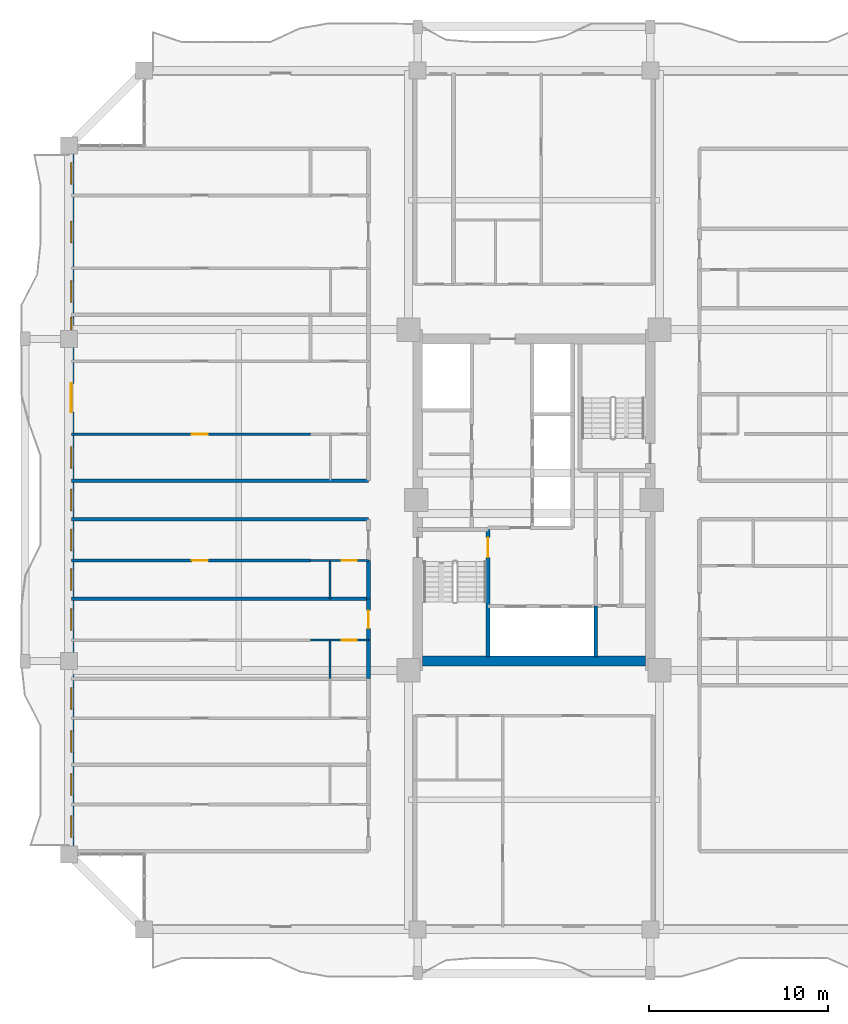
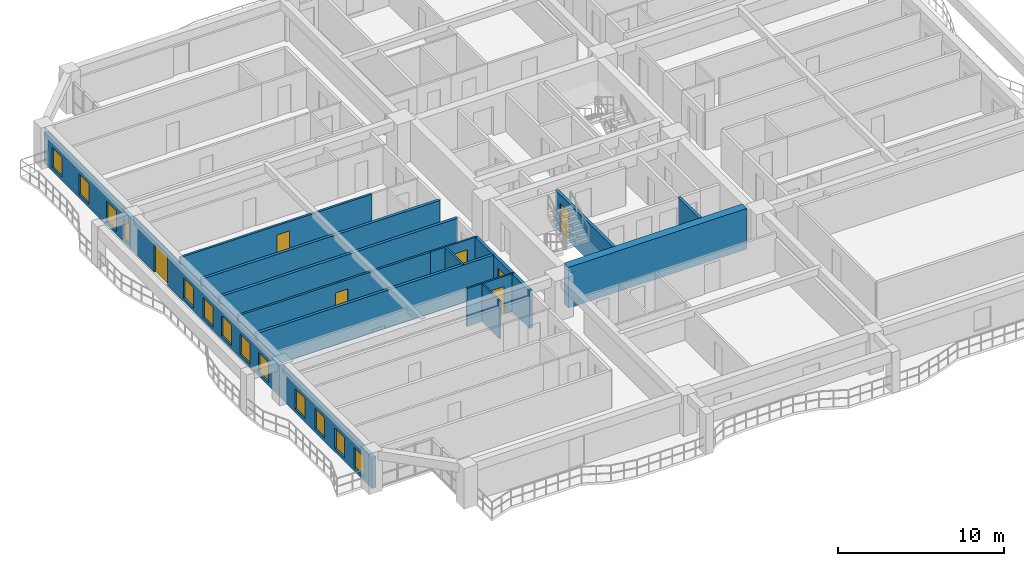
# One storey, part 14 of 24: 18 walls, 13 windows, 7 doors, 20 openings.
"""IFC4 building model written with IfcOpenShell, lengths in metres."""

from ifc_helpers import new_model, si_unit, direction, frame, frame_2d, origin, place, context, subcontext, project, spatial, rectangle, extrude, source, transform, mapped, material, layer, layer_set, type_object, element, fill, save


model = new_model("IFC4")

# Units and contexts
model_context = context("Model", 3, precision=1e-05, world=origin(), true_north=direction((0.0, 1.0)))
body_context = subcontext(model_context, "Body", "Model", "MODEL_VIEW")
ifc_project = project(units=[si_unit("LENGTHUNIT", "METRE"), si_unit("AREAUNIT", "SQUARE_METRE"), si_unit("VOLUMEUNIT", "CUBIC_METRE"), si_unit("PLANEANGLEUNIT", "RADIAN"), si_unit("MASSUNIT", "GRAM", prefix="KILO")], contexts=[model_context])

# Site, building, storey
site_placement = place(None, origin())
site = spatial("IfcSite", under=ifc_project, at=site_placement, CompositionType="ELEMENT")
building_placement = place(site_placement, origin())
building = spatial("IfcBuilding", under=site, at=building_placement, Name="Saelheon Loggia Tower", CompositionType="ELEMENT")
storey_placement = place(building_placement, frame((0.0, 0.0, 126.75)))
storey = spatial("IfcBuildingStorey", under=building, at=storey_placement, Name="L40", CompositionType="ELEMENT", Elevation=126.75)

# Wall
ifc_material_1 = material(Name="Concrete C50/60", Category="concrete")
ifc_layer_1 = layer(ifc_material_1, 0.550048828125)
ifc_layer_set_1 = layer_set([ifc_layer_1], Name="Concrete C50/60")
wall_type_1 = type_object("IfcWallType", Name="Wall_CoreShear_550", PredefinedType="SHEAR", material=ifc_layer_set_1)
wall_1_placement = place(storey_placement, frame((31.77490234375, 18.0, 0.0), z_axis=(0.0, 0.0, 1.0), x_axis=(1.0, 0.0, 0.0)))
element("IfcWall", 1, at=wall_1_placement, inside=storey, type_object=wall_type_1, Name="L40 Core Shear Wall South", PredefinedType="SHEAR", context=body_context, shape_type="SweptSolid", body=[
    extrude(rectangle(XDim=12.4501953125, YDim=0.550048828125, at=frame_2d((6.22509765625, 0.0))), origin(), (0.0, 0.0, 1.0), 3.0),
])

# Wall, openings, windows, door
ifc_material_2 = material(Name="Architectural Precast Concrete C40/50", Category="concrete")
ifc_layer_2 = layer(ifc_material_2, 0.280029296875)
ifc_layer_set_2 = layer_set([ifc_layer_2], Name="Architectural Precast Concrete C40/50")
wall_type_2 = type_object("IfcWallType", Name="Wall_Ext_Loggia_280", PredefinedType="SOLIDWALL", material=ifc_layer_set_2)
wall_2_placement = place(storey_placement, frame((12.139892578125, 7.199951171875, 0.0), z_axis=(0.0, 0.0, 1.0), x_axis=(0.0, 1.0, 0.0)))
wall_2 = element("IfcWall", 2, at=wall_2_placement, inside=storey, type_object=wall_type_2, Name="L40 West Loggia Inner Wall", PredefinedType="SOLIDWALL", context=body_context, shape_type="SweptSolid", body=[
    extrude(rectangle(XDim=39.60009765625, YDim=0.280029296875, at=frame_2d((19.800048828125, 0.0))), origin(), (0.0, 0.0, 1.0), 2.280029296875),
])
opening_1_placement = place(wall_2_placement, frame((0.948974609375, 0.0, 0.25)))
opening_1 = element("IfcOpeningElement", 3, at=opening_1_placement, cuts=wall_2, Name="Opening WN-03", PredefinedType="OPENING", context=body_context, shape_type="SweptSolid", body=[
    extrude(rectangle(XDim=1.199951171875, YDim=1.5, at=frame_2d((0.60009765625, 0.75))), frame((0.0, 0.152099609375, 0.0), z_axis=(0.0, -1.0, 0.0), x_axis=(1.0, 0.0, 0.0)), (0.0, 0.0, 1.0), 0.303955078125),
])
opening_2_placement = place(wall_2_placement, frame((3.291748046875, 0.0, 0.25)))
opening_2 = element("IfcOpeningElement", 4, at=opening_2_placement, cuts=wall_2, Name="Opening WN-03", PredefinedType="OPENING", context=body_context, shape_type="SweptSolid", body=[
    extrude(rectangle(XDim=1.199951171875, YDim=1.5, at=frame_2d((0.60009765625, 0.75))), frame((0.0, 0.152099609375, 0.0), z_axis=(0.0, -1.0, 0.0), x_axis=(1.0, 0.0, 0.0)), (0.0, 0.0, 1.0), 0.303955078125),
])
opening_3_placement = place(wall_2_placement, frame((5.701904296875, 0.0, 0.25)))
opening_3 = element("IfcOpeningElement", 5, at=opening_3_placement, cuts=wall_2, Name="Opening WN-03", PredefinedType="OPENING", context=body_context, shape_type="SweptSolid", body=[
    extrude(rectangle(XDim=1.199951171875, YDim=1.5, at=frame_2d((0.60009765625, 0.75))), frame((0.0, 0.152099609375, 0.0), z_axis=(0.0, -1.0, 0.0), x_axis=(1.0, 0.0, 0.0)), (0.0, 0.0, 1.0), 0.303955078125),
])
opening_4_placement = place(wall_2_placement, frame((8.112060546875, 0.0, 0.25)))
opening_4 = element("IfcOpeningElement", 6, at=opening_4_placement, cuts=wall_2, Name="Opening WN-03", PredefinedType="OPENING", context=body_context, shape_type="SweptSolid", body=[
    extrude(rectangle(XDim=1.199951171875, YDim=1.5, at=frame_2d((0.60009765625, 0.75))), frame((0.0, 0.152099609375, 0.0), z_axis=(0.0, -1.0, 0.0), x_axis=(1.0, 0.0, 0.0)), (0.0, 0.0, 1.0), 0.303955078125),
])
opening_5_placement = place(wall_2_placement, frame((12.5205078125, 0.0, 0.25)))
opening_5 = element("IfcOpeningElement", 7, at=opening_5_placement, cuts=wall_2, Name="Opening WN-03", PredefinedType="OPENING", context=body_context, shape_type="SweptSolid", body=[
    extrude(rectangle(XDim=1.199951171875, YDim=1.5, at=frame_2d((0.60009765625, 0.75))), frame((0.0, 0.152099609375, 0.0), z_axis=(0.0, -1.0, 0.0), x_axis=(1.0, 0.0, 0.0)), (0.0, 0.0, 1.0), 0.303955078125),
])
opening_6_placement = place(wall_2_placement, frame((14.745361328125, 0.0, 0.25)))
opening_6 = element("IfcOpeningElement", 8, at=opening_6_placement, cuts=wall_2, Name="Opening WN-03", PredefinedType="OPENING", context=body_context, shape_type="SweptSolid", body=[
    extrude(rectangle(XDim=1.199951171875, YDim=1.5, at=frame_2d((0.60009765625, 0.75))), frame((0.0, 0.152099609375, 0.0), z_axis=(0.0, -1.0, 0.0), x_axis=(1.0, 0.0, 0.0)), (0.0, 0.0, 1.0), 0.303955078125),
])
opening_7_placement = place(wall_2_placement, frame((16.97021484375, 0.0, 0.25)))
opening_7 = element("IfcOpeningElement", 9, at=opening_7_placement, cuts=wall_2, Name="Opening WN-03", PredefinedType="OPENING", context=body_context, shape_type="SweptSolid", body=[
    extrude(rectangle(XDim=1.199951171875, YDim=1.5, at=frame_2d((0.60009765625, 0.75))), frame((0.0, 0.152099609375, 0.0), z_axis=(0.0, -1.0, 0.0), x_axis=(1.0, 0.0, 0.0)), (0.0, 0.0, 1.0), 0.303955078125),
])
opening_8_placement = place(wall_2_placement, frame((19.199951171875, 0.0, 0.25)))
opening_8 = element("IfcOpeningElement", 10, at=opening_8_placement, cuts=wall_2, Name="Opening WN-03", PredefinedType="OPENING", context=body_context, shape_type="SweptSolid", body=[
    extrude(rectangle(XDim=1.199951171875, YDim=1.5, at=frame_2d((0.60009765625, 0.75))), frame((0.0, 0.152099609375, 0.0), z_axis=(0.0, -1.0, 0.0), x_axis=(1.0, 0.0, 0.0)), (0.0, 0.0, 1.0), 0.303955078125),
])
opening_9_placement = place(wall_2_placement, frame((21.577880859375, 0.0, 0.25)))
opening_9 = element("IfcOpeningElement", 11, at=opening_9_placement, cuts=wall_2, Name="Opening WN-03", PredefinedType="OPENING", context=body_context, shape_type="SweptSolid", body=[
    extrude(rectangle(XDim=1.199951171875, YDim=1.5, at=frame_2d((0.60009765625, 0.75))), frame((0.0, 0.152099609375, 0.0), z_axis=(0.0, -1.0, 0.0), x_axis=(1.0, 0.0, 0.0)), (0.0, 0.0, 1.0), 0.303955078125),
])
opening_10_placement = place(wall_2_placement, frame((24.712890625, 0.0, 0.0)))
opening_10 = element("IfcOpeningElement", 12, at=opening_10_placement, cuts=wall_2, Name="Opening DLG-1", PredefinedType="OPENING", context=body_context, shape_type="SweptSolid", body=[
    extrude(rectangle(XDim=1.60009765625, YDim=2.14990234375, at=frame_2d((0.800048828125, 1.074951171875))), frame((0.0, 0.152099609375, 0.0), z_axis=(0.0, -1.0, 0.0), x_axis=(1.0, 0.0, 0.0)), (0.0, 0.0, 1.0), 0.303955078125),
])
opening_11_placement = place(wall_2_placement, frame((29.304931640625, 0.0, 0.25)))
opening_11 = element("IfcOpeningElement", 13, at=opening_11_placement, cuts=wall_2, Name="Opening WN-06", PredefinedType="OPENING", context=body_context, shape_type="SweptSolid", body=[
    extrude(rectangle(XDim=0.699951171875, YDim=1.5, at=frame_2d((0.35009765625, 0.75))), frame((0.0, 0.152099609375, 0.0), z_axis=(0.0, -1.0, 0.0), x_axis=(1.0, 0.0, 0.0)), (0.0, 0.0, 1.0), 0.303955078125),
])
opening_12_placement = place(wall_2_placement, frame((30.847900390625, 0.0, 0.25)))
opening_12 = element("IfcOpeningElement", 14, at=opening_12_placement, cuts=wall_2, Name="Opening WN-03", PredefinedType="OPENING", context=body_context, shape_type="SweptSolid", body=[
    extrude(rectangle(XDim=1.199951171875, YDim=1.5, at=frame_2d((0.60009765625, 0.75))), frame((0.0, 0.152099609375, 0.0), z_axis=(0.0, -1.0, 0.0), x_axis=(1.0, 0.0, 0.0)), (0.0, 0.0, 1.0), 0.303955078125),
])
opening_13_placement = place(wall_2_placement, frame((34.182861328125, 0.0, 0.25)))
opening_13 = element("IfcOpeningElement", 15, at=opening_13_placement, cuts=wall_2, Name="Opening WN-03", PredefinedType="OPENING", context=body_context, shape_type="SweptSolid", body=[
    extrude(rectangle(XDim=1.199951171875, YDim=1.5, at=frame_2d((0.60009765625, 0.75))), frame((0.0, 0.152099609375, 0.0), z_axis=(0.0, -1.0, 0.0), x_axis=(1.0, 0.0, 0.0)), (0.0, 0.0, 1.0), 0.303955078125),
])
opening_14_placement = place(wall_2_placement, frame((37.452392578125, 0.0, 0.25)))
opening_14 = element("IfcOpeningElement", 16, at=opening_14_placement, cuts=wall_2, Name="Opening WN-03", PredefinedType="OPENING", context=body_context, shape_type="SweptSolid", body=[
    extrude(rectangle(XDim=1.199951171875, YDim=1.5, at=frame_2d((0.60009765625, 0.75))), frame((0.0, 0.152099609375, 0.0), z_axis=(0.0, -1.0, 0.0), x_axis=(1.0, 0.0, 0.0)), (0.0, 0.0, 1.0), 0.303955078125),
])
ifc_material_3 = material(Name="Thermal-Break Aluminium and Triple Low-E Glass", Category="aluminium")
window_type_1 = type_object("IfcWindowType", Name="Win_Slot_700x1500", PartitioningType="SINGLE_PANEL", PredefinedType="WINDOW", material=ifc_material_3)
shared_shape_1 = source(origin(), body_context, "Body", "SweptSolid", [
    extrude(rectangle(XDim=0.699951171875, YDim=1.5, at=frame_2d((0.35009765625, 0.75))), frame((0.0, 0.030029296875, 0.0), z_axis=(0.0, -1.0, 0.0), x_axis=(1.0, 0.0, 0.0)), (0.0, 0.0, 1.0), 0.06005859375),
])
window_1_placement = place(opening_11_placement, origin())
window_1 = element("IfcWindow", 17, at=window_1_placement, inside=storey, type_object=window_type_1, Name="L40 W Dwelling Window 11", OverallHeight=1.5, OverallWidth=0.699951171875, PartitioningType="SINGLE_PANEL", PredefinedType="WINDOW", context=body_context, shape_type="MappedRepresentation", body=[
    mapped(shared_shape_1, transform((0.0, 0.0, 0.0), scale=1.0)),
])
fill(opening_11, window_1)
window_type_2 = type_object("IfcWindowType", Name="Win_Bedroom_1200x1500", PartitioningType="SINGLE_PANEL", PredefinedType="WINDOW", material=ifc_material_3)
shared_shape_2 = source(origin(), body_context, "Body", "SweptSolid", [
    extrude(rectangle(XDim=1.199951171875, YDim=1.5, at=frame_2d((0.60009765625, 0.75))), frame((0.0, 0.030029296875, 0.0), z_axis=(0.0, -1.0, 0.0), x_axis=(1.0, 0.0, 0.0)), (0.0, 0.0, 1.0), 0.06005859375),
])
window_2_placement = place(opening_1_placement, origin())
window_2 = element("IfcWindow", 18, at=window_2_placement, inside=storey, type_object=window_type_2, Name="L40 W Dwelling Window 1", OverallHeight=1.5, OverallWidth=1.199951171875, PartitioningType="SINGLE_PANEL", PredefinedType="WINDOW", context=body_context, shape_type="MappedRepresentation", body=[
    mapped(shared_shape_2, transform((0.0, 0.0, 0.0), scale=1.0)),
])
fill(opening_1, window_2)
window_3_placement = place(opening_2_placement, origin())
window_3 = element("IfcWindow", 19, at=window_3_placement, inside=storey, type_object=window_type_2, Name="L40 W Dwelling Window 2", OverallHeight=1.5, OverallWidth=1.199951171875, PartitioningType="SINGLE_PANEL", PredefinedType="WINDOW", context=body_context, shape_type="MappedRepresentation", body=[
    mapped(shared_shape_2, transform((0.0, 0.0, 0.0), scale=1.0)),
])
fill(opening_2, window_3)
window_4_placement = place(opening_3_placement, origin())
window_4 = element("IfcWindow", 20, at=window_4_placement, inside=storey, type_object=window_type_2, Name="L40 W Dwelling Window 3", OverallHeight=1.5, OverallWidth=1.199951171875, PartitioningType="SINGLE_PANEL", PredefinedType="WINDOW", context=body_context, shape_type="MappedRepresentation", body=[
    mapped(shared_shape_2, transform((0.0, 0.0, 0.0), scale=1.0)),
])
fill(opening_3, window_4)
window_5_placement = place(opening_4_placement, origin())
window_5 = element("IfcWindow", 21, at=window_5_placement, inside=storey, type_object=window_type_2, Name="L40 W Dwelling Window 4", OverallHeight=1.5, OverallWidth=1.199951171875, PartitioningType="SINGLE_PANEL", PredefinedType="WINDOW", context=body_context, shape_type="MappedRepresentation", body=[
    mapped(shared_shape_2, transform((0.0, 0.0, 0.0), scale=1.0)),
])
fill(opening_4, window_5)
window_6_placement = place(opening_5_placement, origin())
window_6 = element("IfcWindow", 22, at=window_6_placement, inside=storey, type_object=window_type_2, Name="L40 W Dwelling Window 5", OverallHeight=1.5, OverallWidth=1.199951171875, PartitioningType="SINGLE_PANEL", PredefinedType="WINDOW", context=body_context, shape_type="MappedRepresentation", body=[
    mapped(shared_shape_2, transform((0.0, 0.0, 0.0), scale=1.0)),
])
fill(opening_5, window_6)
window_7_placement = place(opening_6_placement, origin())
window_7 = element("IfcWindow", 23, at=window_7_placement, inside=storey, type_object=window_type_2, Name="L40 W Dwelling Window 6", OverallHeight=1.5, OverallWidth=1.199951171875, PartitioningType="SINGLE_PANEL", PredefinedType="WINDOW", context=body_context, shape_type="MappedRepresentation", body=[
    mapped(shared_shape_2, transform((0.0, 0.0, 0.0), scale=1.0)),
])
fill(opening_6, window_7)
window_8_placement = place(opening_7_placement, origin())
window_8 = element("IfcWindow", 24, at=window_8_placement, inside=storey, type_object=window_type_2, Name="L40 W Dwelling Window 7", OverallHeight=1.5, OverallWidth=1.199951171875, PartitioningType="SINGLE_PANEL", PredefinedType="WINDOW", context=body_context, shape_type="MappedRepresentation", body=[
    mapped(shared_shape_2, transform((0.0, 0.0, 0.0), scale=1.0)),
])
fill(opening_7, window_8)
window_9_placement = place(opening_8_placement, origin())
window_9 = element("IfcWindow", 25, at=window_9_placement, inside=storey, type_object=window_type_2, Name="L40 W Dwelling Window 8", OverallHeight=1.5, OverallWidth=1.199951171875, PartitioningType="SINGLE_PANEL", PredefinedType="WINDOW", context=body_context, shape_type="MappedRepresentation", body=[
    mapped(shared_shape_2, transform((0.0, 0.0, 0.0), scale=1.0)),
])
fill(opening_8, window_9)
window_10_placement = place(opening_9_placement, origin())
window_10 = element("IfcWindow", 26, at=window_10_placement, inside=storey, type_object=window_type_2, Name="L40 W Dwelling Window 9", OverallHeight=1.5, OverallWidth=1.199951171875, PartitioningType="SINGLE_PANEL", PredefinedType="WINDOW", context=body_context, shape_type="MappedRepresentation", body=[
    mapped(shared_shape_2, transform((0.0, 0.0, 0.0), scale=1.0)),
])
fill(opening_9, window_10)
window_11_placement = place(opening_12_placement, origin())
window_11 = element("IfcWindow", 27, at=window_11_placement, inside=storey, type_object=window_type_2, Name="L40 W Dwelling Window 12", OverallHeight=1.5, OverallWidth=1.199951171875, PartitioningType="SINGLE_PANEL", PredefinedType="WINDOW", context=body_context, shape_type="MappedRepresentation", body=[
    mapped(shared_shape_2, transform((0.0, 0.0, 0.0), scale=1.0)),
])
fill(opening_12, window_11)
window_12_placement = place(opening_13_placement, origin())
window_12 = element("IfcWindow", 28, at=window_12_placement, inside=storey, type_object=window_type_2, Name="L40 W Dwelling Window 13", OverallHeight=1.5, OverallWidth=1.199951171875, PartitioningType="SINGLE_PANEL", PredefinedType="WINDOW", context=body_context, shape_type="MappedRepresentation", body=[
    mapped(shared_shape_2, transform((0.0, 0.0, 0.0), scale=1.0)),
])
fill(opening_13, window_12)
window_13_placement = place(opening_14_placement, origin())
window_13 = element("IfcWindow", 29, at=window_13_placement, inside=storey, type_object=window_type_2, Name="L40 W Dwelling Window 14", OverallHeight=1.5, OverallWidth=1.199951171875, PartitioningType="SINGLE_PANEL", PredefinedType="WINDOW", context=body_context, shape_type="MappedRepresentation", body=[
    mapped(shared_shape_2, transform((0.0, 0.0, 0.0), scale=1.0)),
])
fill(opening_14, window_13)
ifc_material_4 = material(Name="Thermal-Break Aluminium Sliding Glazed Door", Category="aluminium")
door_type_1 = type_object("IfcDoorType", Name="Door_LoggiaSlide_1600", OperationType="SLIDING_TO_LEFT", PredefinedType="DOOR", material=ifc_material_4)
shared_shape_3 = source(origin(), body_context, "Body", "SweptSolid", [
    extrude(rectangle(XDim=1.60009765625, YDim=2.14990234375, at=frame_2d((0.800048828125, 1.074951171875))), frame((0.0, 0.02490234375, 0.0), z_axis=(0.0, -1.0, 0.0), x_axis=(1.0, 0.0, 0.0)), (0.0, 0.0, 1.0), 0.050048828125),
])
door_1_placement = place(opening_10_placement, origin())
door_1 = element("IfcDoor", 30, at=door_1_placement, inside=storey, type_object=door_type_1, Name="L40 W Loggia Access Door", OperationType="SLIDING_TO_LEFT", OverallHeight=2.14990234375, OverallWidth=1.60009765625, PredefinedType="DOOR", context=body_context, shape_type="MappedRepresentation", body=[
    mapped(shared_shape_3, transform((0.0, 0.0, 0.0), scale=1.0)),
])
fill(opening_10, door_1)

# Wall, opening, door
ifc_material_5 = material(Name="Lightweight Autoclaved Aerated Concrete Block and Acoustic Gypsum", Category="concrete")
ifc_layer_3 = layer(ifc_material_5, 0.14990234375)
ifc_layer_set_3 = layer_set([ifc_layer_3], Name="Lightweight Autoclaved Aerated Concrete Block and Acoustic Gypsum")
wall_type_3 = type_object("IfcWallType", Name="Wall_Part_150", PredefinedType="PARTITIONING", material=ifc_layer_set_3)
wall_3_placement = place(storey_placement, frame((25.510009765625, 23.620361328125, 0.0), z_axis=(0.0, 0.0, 1.0), x_axis=(-1.0, 0.0, 0.0)))
wall_3 = element("IfcWall", 31, at=wall_3_placement, inside=storey, type_object=wall_type_3, Name="L40 WS Partition U29", PredefinedType="PARTITIONING", context=body_context, shape_type="SweptSolid", body=[
    extrude(rectangle(XDim=13.360107421875, YDim=0.14990234375, at=frame_2d((6.68017578125, 0.0))), origin(), (0.0, 0.0, 1.0), 2.7900390625),
])
opening_15_placement = place(wall_3_placement, frame((5.730712890625, 0.0, 0.0)))
opening_15 = element("IfcOpeningElement", 32, at=opening_15_placement, cuts=wall_3, Name="Opening D-IN2", PredefinedType="OPENING", context=body_context, shape_type="SweptSolid", body=[
    extrude(rectangle(XDim=0.89990234375, YDim=2.10009765625, at=frame_2d((0.449951171875, 1.050048828125))), frame((0.0, 0.0869140625, 0.0), z_axis=(0.0, -1.0, 0.0), x_axis=(1.0, 0.0, 0.0)), (0.0, 0.0, 1.0), 0.173828125),
])
ifc_material_6 = material(Name="Engineered Oak Flush Door", Category="timber")
door_type_2 = type_object("IfcDoorType", Name="Door_Int_900", OperationType="NOTDEFINED", PredefinedType="DOOR", material=ifc_material_6)
shared_shape_4 = source(origin(), body_context, "Body", "SweptSolid", [
    extrude(rectangle(XDim=0.89990234375, YDim=2.10009765625, at=frame_2d((0.449951171875, 1.050048828125))), frame((0.0, 0.02490234375, 0.0), z_axis=(0.0, -1.0, 0.0), x_axis=(1.0, 0.0, 0.0)), (0.0, 0.0, 1.0), 0.050048828125),
])
door_2_placement = place(opening_15_placement, origin())
door_2 = element("IfcDoor", 33, at=door_2_placement, inside=storey, type_object=door_type_2, Name="Unit U04 Kitchen Door", OperationType="SINGLE_SWING_RIGHT", OverallHeight=2.10009765625, OverallWidth=0.89990234375, PredefinedType="DOOR", context=body_context, shape_type="MappedRepresentation", body=[
    mapped(shared_shape_4, transform((0.0, 0.0, 0.0), scale=1.0)),
])
fill(opening_15, door_2)

wall_4_placement = place(storey_placement, frame((25.510009765625, 30.675537109375, 0.0), z_axis=(0.0, 0.0, 1.0), x_axis=(-1.0, 0.0, 0.0)))
wall_4 = element("IfcWall", 34, at=wall_4_placement, inside=storey, type_object=wall_type_3, Name="L40 WN Partition U10", PredefinedType="PARTITIONING", context=body_context, shape_type="SweptSolid", body=[
    extrude(rectangle(XDim=13.360107421875, YDim=0.14990234375, at=frame_2d((6.68017578125, 0.0))), origin(), (0.0, 0.0, 1.0), 2.7900390625),
])
opening_16_placement = place(wall_4_placement, frame((5.730712890625, 0.0, 0.0)))
opening_16 = element("IfcOpeningElement", 35, at=opening_16_placement, cuts=wall_4, Name="Opening D-IN2", PredefinedType="OPENING", context=body_context, shape_type="SweptSolid", body=[
    extrude(rectangle(XDim=0.89990234375, YDim=2.10009765625, at=frame_2d((0.449951171875, 1.050048828125))), frame((0.0, 0.0869140625, 0.0), z_axis=(0.0, -1.0, 0.0), x_axis=(1.0, 0.0, 0.0)), (0.0, 0.0, 1.0), 0.173828125),
])
door_3_placement = place(opening_16_placement, origin())
door_3 = element("IfcDoor", 36, at=door_3_placement, inside=storey, type_object=door_type_2, Name="Unit U05 Kitchen Door", OperationType="SINGLE_SWING_LEFT", OverallHeight=2.10009765625, OverallWidth=0.89990234375, PredefinedType="DOOR", context=body_context, shape_type="MappedRepresentation", body=[
    mapped(shared_shape_4, transform((0.0, 0.0, 0.0), scale=1.0)),
])
fill(opening_16, door_3)

# Walls
ifc_material_7 = material(Name="Double Acoustic Stud and Fireboard Partition", Category="gypsum")
ifc_layer_4 = layer(ifc_material_7, 0.199951171875)
ifc_layer_set_4 = layer_set([ifc_layer_4], Name="Double Acoustic Stud and Fireboard Partition")
wall_type_4 = type_object("IfcWallType", Name="Wall_Party_200", PredefinedType="PARTITIONING", material=ifc_layer_set_4)
wall_5_placement = place(storey_placement, frame((28.75, 25.919921875, 0.0), z_axis=(0.0, 0.0, 1.0), x_axis=(-1.0, 0.0, 0.0)))
element("IfcWall", 37, at=wall_5_placement, inside=storey, type_object=wall_type_4, Name="L40 WS Partition U02", PredefinedType="PARTITIONING", context=body_context, shape_type="SweptSolid", body=[
    extrude(rectangle(XDim=16.60009765625, YDim=0.199951171875, at=frame_2d((8.300048828125, 0.0))), origin(), (0.0, 0.0, 1.0), 2.7900390625),
])
wall_6_placement = place(storey_placement, frame((28.75, 17.020751953125, 0.0), z_axis=(0.0, 0.0, 1.0), x_axis=(0.0, 1.0, 0.0)))
element("IfcWall", 38, at=wall_6_placement, inside=storey, type_object=wall_type_4, Name="L40 WS Partition V17", PredefinedType="PARTITIONING", context=body_context, shape_type="SweptSolid", body=[
    extrude(rectangle(XDim=2.150146484375, YDim=0.199951171875, at=frame_2d((1.0751953125, 0.0))), origin(), (0.0, 0.0, 1.0), 2.7900390625),
])

# Wall, opening, door
wall_7_placement = place(storey_placement, frame((28.75, 19.1708984375, 0.0), z_axis=(0.0, 0.0, 1.0), x_axis=(0.0, 1.0, 0.0)))
wall_7 = element("IfcWall", 39, at=wall_7_placement, inside=storey, type_object=wall_type_4, Name="L40 WS Partition V18", PredefinedType="PARTITIONING", context=body_context, shape_type="SweptSolid", body=[
    extrude(rectangle(XDim=2.299560546875, YDim=0.199951171875, at=frame_2d((1.14990234375, 0.0))), origin(), (0.0, 0.0, 1.0), 2.7900390625),
])
opening_17_placement = place(wall_7_placement, frame((0.64990234375, 0.0, 0.0)))
opening_17 = element("IfcOpeningElement", 40, at=opening_17_placement, cuts=wall_7, Name="Opening D-FD1", PredefinedType="OPENING", context=body_context, shape_type="SweptSolid", body=[
    extrude(rectangle(XDim=1.0, YDim=2.14990234375, at=frame_2d((0.5, 1.074951171875))), frame((0.0, 0.112060546875, 0.0), z_axis=(0.0, -1.0, 0.0), x_axis=(1.0, 0.0, 0.0)), (0.0, 0.0, 1.0), 0.223876953125),
])
ifc_material_8 = material(Name="Fire-Rated Engineered Timber Entrance Door", Category="wood")
door_type_3 = type_object("IfcDoorType", Name="Door_Flat_FD30S", OperationType="NOTDEFINED", PredefinedType="DOOR", material=ifc_material_8)
shared_shape_5 = source(origin(), body_context, "Body", "SweptSolid", [
    extrude(rectangle(XDim=1.0, YDim=2.14990234375, at=frame_2d((0.5, 1.074951171875))), frame((0.0, 0.02490234375, 0.0), z_axis=(0.0, -1.0, 0.0), x_axis=(1.0, 0.0, 0.0)), (0.0, 0.0, 1.0), 0.050048828125),
])
door_4_placement = place(opening_17_placement, origin())
door_4 = element("IfcDoor", 41, at=door_4_placement, inside=storey, type_object=door_type_3, Name="Unit U03 Entrance Door", OperationType="SINGLE_SWING_LEFT", OverallHeight=2.14990234375, OverallWidth=1.0, PredefinedType="DOOR", context=body_context, shape_type="MappedRepresentation", body=[
    mapped(shared_shape_5, transform((0.0, 0.0, 0.0), scale=1.0)),
])
fill(opening_17, door_4)

# Walls
wall_8_placement = place(storey_placement, frame((28.75, 21.470458984375, 0.0), z_axis=(0.0, 0.0, 1.0), x_axis=(-1.0, 0.0, 0.0)))
element("IfcWall", 42, at=wall_8_placement, inside=storey, type_object=wall_type_4, Name="L40 WS Partition U23", PredefinedType="PARTITIONING", context=body_context, shape_type="SweptSolid", body=[
    extrude(rectangle(XDim=16.60009765625, YDim=0.199951171875, at=frame_2d((8.300048828125, 0.0))), origin(), (0.0, 0.0, 1.0), 2.7900390625),
])
wall_9_placement = place(storey_placement, frame((28.75, 21.470458984375, 0.0), z_axis=(0.0, 0.0, 1.0), x_axis=(0.0, 1.0, 0.0)))
element("IfcWall", 43, at=wall_9_placement, inside=storey, type_object=wall_type_4, Name="L40 WS Partition V24", PredefinedType="PARTITIONING", context=body_context, shape_type="SweptSolid", body=[
    extrude(rectangle(XDim=2.14990234375, YDim=0.199951171875, at=frame_2d((1.074951171875, 0.0))), origin(), (0.0, 0.0, 1.0), 2.7900390625),
])
wall_10_placement = place(storey_placement, frame((28.75, 28.080078125, 0.0), z_axis=(0.0, 0.0, 1.0), x_axis=(-1.0, 0.0, 0.0)))
element("IfcWall", 44, at=wall_10_placement, inside=storey, type_object=wall_type_4, Name="L40 WN Partition U01", PredefinedType="PARTITIONING", context=body_context, shape_type="SweptSolid", body=[
    extrude(rectangle(XDim=16.60009765625, YDim=0.199951171875, at=frame_2d((8.300048828125, 0.0))), origin(), (0.0, 0.0, 1.0), 2.7900390625),
])
ifc_material_9 = material(Name="Concrete C40/50", Category="concrete")
ifc_layer_5 = layer(ifc_material_9, 0.199951171875)
ifc_layer_set_5 = layer_set([ifc_layer_5], Name="Concrete C40/50")
wall_type_5 = type_object("IfcWallType", Name="Wall_Shaft_200", PredefinedType="PARTITIONING", material=ifc_layer_set_5)
wall_11_placement = place(storey_placement, frame((41.449951171875, 18.219970703125, 0.0), z_axis=(0.0, 0.0, 1.0), x_axis=(0.0, 1.0, 0.0)))
element("IfcWall", 45, at=wall_11_placement, inside=storey, type_object=wall_type_5, Name="CW-INT-L40-BOH-W0", PredefinedType="PARTITIONING", context=body_context, shape_type="SweptSolid", body=[
    extrude(rectangle(XDim=2.860107421875, YDim=0.199951171875, at=frame_2d((1.43017578125, 0.0))), origin(), (0.0, 0.0, 1.0), 2.7900390625),
])

# Wall, opening, door
ifc_material_10 = material(Name="Concrete C45/55", Category="concrete")
ifc_layer_6 = layer(ifc_material_10, 0.199951171875)
ifc_layer_set_6 = layer_set([ifc_layer_6], Name="Concrete C45/55")
wall_type_6 = type_object("IfcWallType", Name="Wall_StairShaft_RC200", PredefinedType="SOLIDWALL", material=ifc_layer_set_6)
wall_12_placement = place(storey_placement, frame((35.429931640625, 18.219970703125, 0.0), z_axis=(0.0, 0.0, 1.0), x_axis=(0.0, 1.0, 0.0)))
wall_12 = element("IfcWall", 46, at=wall_12_placement, inside=storey, type_object=wall_type_6, Name="L40 Stair ST1 Shaft Wall", PredefinedType="SOLIDWALL", context=body_context, shape_type="SweptSolid", body=[
    extrude(rectangle(XDim=7.219970703125, YDim=0.199951171875, at=frame_2d((3.60986328125, 0.0))), origin(), (0.0, 0.0, 1.0), 2.7900390625),
])
opening_18_placement = place(wall_12_placement, frame((6.68017578125, 0.0, 0.0), z_axis=(0.0, 0.0, 1.0), x_axis=(-1.0, 0.0, 0.0)))
opening_18 = element("IfcOpeningElement", 47, at=opening_18_placement, cuts=wall_12, Name="Opening D-FD2", PredefinedType="OPENING", context=body_context, shape_type="SweptSolid", body=[
    extrude(rectangle(XDim=1.10009765625, YDim=2.14990234375, at=frame_2d((0.550048828125, 1.074951171875))), frame((0.0, 0.112060546875, 0.0), z_axis=(0.0, -1.0, 0.0), x_axis=(1.0, 0.0, 0.0)), (0.0, 0.0, 1.0), 0.223876953125),
])
ifc_material_11 = material(Name="Galvanised Steel Fire Door", Category="steel")
door_type_4 = type_object("IfcDoorType", Name="Door_Fire_FD60_1100", OperationType="NOTDEFINED", PredefinedType="DOOR", material=ifc_material_11)
shared_shape_6 = source(origin(), body_context, "Body", "SweptSolid", [
    extrude(rectangle(XDim=1.10009765625, YDim=2.14990234375, at=frame_2d((0.550048828125, 1.074951171875))), frame((0.0, 0.02490234375, 0.0), z_axis=(0.0, -1.0, 0.0), x_axis=(1.0, 0.0, 0.0)), (0.0, 0.0, 1.0), 0.050048828125),
])
door_5_placement = place(opening_18_placement, origin())
door_5 = element("IfcDoor", 48, at=door_5_placement, inside=storey, type_object=door_type_4, Name="L40 Stair ST1 Lobby Door", OperationType="SINGLE_SWING_RIGHT", OverallHeight=2.14990234375, OverallWidth=1.10009765625, PredefinedType="DOOR", context=body_context, shape_type="MappedRepresentation", body=[
    mapped(shared_shape_6, transform((0.0, 0.0, 0.0), scale=1.0)),
])
fill(opening_18, door_5)

ifc_material_12 = material(Name="Moisture-Resistant Cement Board Partition", Category="gypsum")
ifc_layer_7 = layer(ifc_material_12, 0.1201171875)
ifc_layer_set_7 = layer_set([ifc_layer_7], Name="Moisture-Resistant Cement Board Partition")
wall_type_7 = type_object("IfcWallType", Name="Wall_WetPart_120", PredefinedType="PARTITIONING", material=ifc_layer_set_7)
wall_13_placement = place(storey_placement, frame((28.75, 19.1708984375, 0.0), z_axis=(0.0, 0.0, 1.0), x_axis=(-1.0, 0.0, 0.0)))
wall_13 = element("IfcWall", 49, at=wall_13_placement, inside=storey, type_object=wall_type_7, Name="L40 WS Partition U19", PredefinedType="PARTITIONING", context=body_context, shape_type="SweptSolid", body=[
    extrude(rectangle(XDim=2.14990234375, YDim=0.1201171875, at=frame_2d((1.074951171875, 0.0))), origin(), (0.0, 0.0, 1.0), 2.7900390625),
])
opening_19_placement = place(wall_13_placement, frame((0.64990234375, 0.0, 0.0)))
opening_19 = element("IfcOpeningElement", 50, at=opening_19_placement, cuts=wall_13, Name="Opening D-BT1", PredefinedType="OPENING", context=body_context, shape_type="SweptSolid", body=[
    extrude(rectangle(XDim=0.85009765625, YDim=2.050048828125, at=frame_2d((0.425048828125, 1.02490234375))), frame((0.0, 0.072021484375, 0.0), z_axis=(0.0, -1.0, 0.0), x_axis=(1.0, 0.0, 0.0)), (0.0, 0.0, 1.0), 0.14404296875),
])
ifc_material_13 = material(Name="Moisture-Resistant Laminate Timber Door", Category="wood")
door_type_5 = type_object("IfcDoorType", Name="Door_Bath_850", OperationType="NOTDEFINED", PredefinedType="DOOR", material=ifc_material_13)
shared_shape_7 = source(origin(), body_context, "Body", "SweptSolid", [
    extrude(rectangle(XDim=0.85009765625, YDim=2.050048828125, at=frame_2d((0.425048828125, 1.02490234375))), frame((0.0, 0.02490234375, 0.0), z_axis=(0.0, -1.0, 0.0), x_axis=(1.0, 0.0, 0.0)), (0.0, 0.0, 1.0), 0.050048828125),
])
door_6_placement = place(opening_19_placement, origin())
door_6 = element("IfcDoor", 51, at=door_6_placement, inside=storey, type_object=door_type_5, Name="Unit U03 Bathroom Door", OperationType="SINGLE_SWING_RIGHT", OverallHeight=2.050048828125, OverallWidth=0.85009765625, PredefinedType="DOOR", context=body_context, shape_type="MappedRepresentation", body=[
    mapped(shared_shape_7, transform((0.0, 0.0, 0.0), scale=1.0)),
])
fill(opening_19, door_6)

# Walls
wall_14_placement = place(storey_placement, frame((26.60009765625, 19.1708984375, 0.0), z_axis=(0.0, 0.0, 1.0), x_axis=(-1.0, 0.0, 0.0)))
element("IfcWall", 52, at=wall_14_placement, inside=storey, type_object=wall_type_7, Name="L40 WS Partition U20", PredefinedType="PARTITIONING", context=body_context, shape_type="SweptSolid", body=[
    extrude(rectangle(XDim=1.090087890625, YDim=0.1201171875, at=frame_2d((0.544921875, 0.0))), origin(), (0.0, 0.0, 1.0), 2.7900390625),
])
wall_15_placement = place(storey_placement, frame((26.60009765625, 17.020751953125, 0.0), z_axis=(0.0, 0.0, 1.0), x_axis=(0.0, 1.0, 0.0)))
element("IfcWall", 53, at=wall_15_placement, inside=storey, type_object=wall_type_7, Name="L40 WS Partition V21", PredefinedType="PARTITIONING", context=body_context, shape_type="SweptSolid", body=[
    extrude(rectangle(XDim=2.150146484375, YDim=0.1201171875, at=frame_2d((1.0751953125, 0.0))), origin(), (0.0, 0.0, 1.0), 2.7900390625),
])

# Wall, opening, door
wall_16_placement = place(storey_placement, frame((28.75, 23.620361328125, 0.0), z_axis=(0.0, 0.0, 1.0), x_axis=(-1.0, 0.0, 0.0)))
wall_16 = element("IfcWall", 54, at=wall_16_placement, inside=storey, type_object=wall_type_7, Name="L40 WS Partition U26", PredefinedType="PARTITIONING", context=body_context, shape_type="SweptSolid", body=[
    extrude(rectangle(XDim=2.14990234375, YDim=0.1201171875, at=frame_2d((1.074951171875, 0.0))), origin(), (0.0, 0.0, 1.0), 2.7900390625),
])
opening_20_placement = place(wall_16_placement, frame((0.64990234375, 0.0, 0.0)))
opening_20 = element("IfcOpeningElement", 55, at=opening_20_placement, cuts=wall_16, Name="Opening D-BT1", PredefinedType="OPENING", context=body_context, shape_type="SweptSolid", body=[
    extrude(rectangle(XDim=0.85009765625, YDim=2.050048828125, at=frame_2d((0.425048828125, 1.02490234375))), frame((0.0, 0.072021484375, 0.0), z_axis=(0.0, -1.0, 0.0), x_axis=(1.0, 0.0, 0.0)), (0.0, 0.0, 1.0), 0.14404296875),
])
door_7_placement = place(opening_20_placement, origin())
door_7 = element("IfcDoor", 56, at=door_7_placement, inside=storey, type_object=door_type_5, Name="Unit U04 Bathroom Door", OperationType="SINGLE_SWING_LEFT", OverallHeight=2.050048828125, OverallWidth=0.85009765625, PredefinedType="DOOR", context=body_context, shape_type="MappedRepresentation", body=[
    mapped(shared_shape_7, transform((0.0, 0.0, 0.0), scale=1.0)),
])
fill(opening_20, door_7)

# Walls
wall_17_placement = place(storey_placement, frame((26.60009765625, 23.620361328125, 0.0), z_axis=(0.0, 0.0, 1.0), x_axis=(-1.0, 0.0, 0.0)))
element("IfcWall", 57, at=wall_17_placement, inside=storey, type_object=wall_type_7, Name="L40 WS Partition U27", PredefinedType="PARTITIONING", context=body_context, shape_type="SweptSolid", body=[
    extrude(rectangle(XDim=1.090087890625, YDim=0.1201171875, at=frame_2d((0.544921875, 0.0))), origin(), (0.0, 0.0, 1.0), 2.7900390625),
])
wall_18_placement = place(storey_placement, frame((26.60009765625, 21.470458984375, 0.0), z_axis=(0.0, 0.0, 1.0), x_axis=(0.0, 1.0, 0.0)))
element("IfcWall", 58, at=wall_18_placement, inside=storey, type_object=wall_type_7, Name="L40 WS Partition V28", PredefinedType="PARTITIONING", context=body_context, shape_type="SweptSolid", body=[
    extrude(rectangle(XDim=2.14990234375, YDim=0.1201171875, at=frame_2d((1.074951171875, 0.0))), origin(), (0.0, 0.0, 1.0), 2.7900390625),
])

save(model, "model.ifc")
